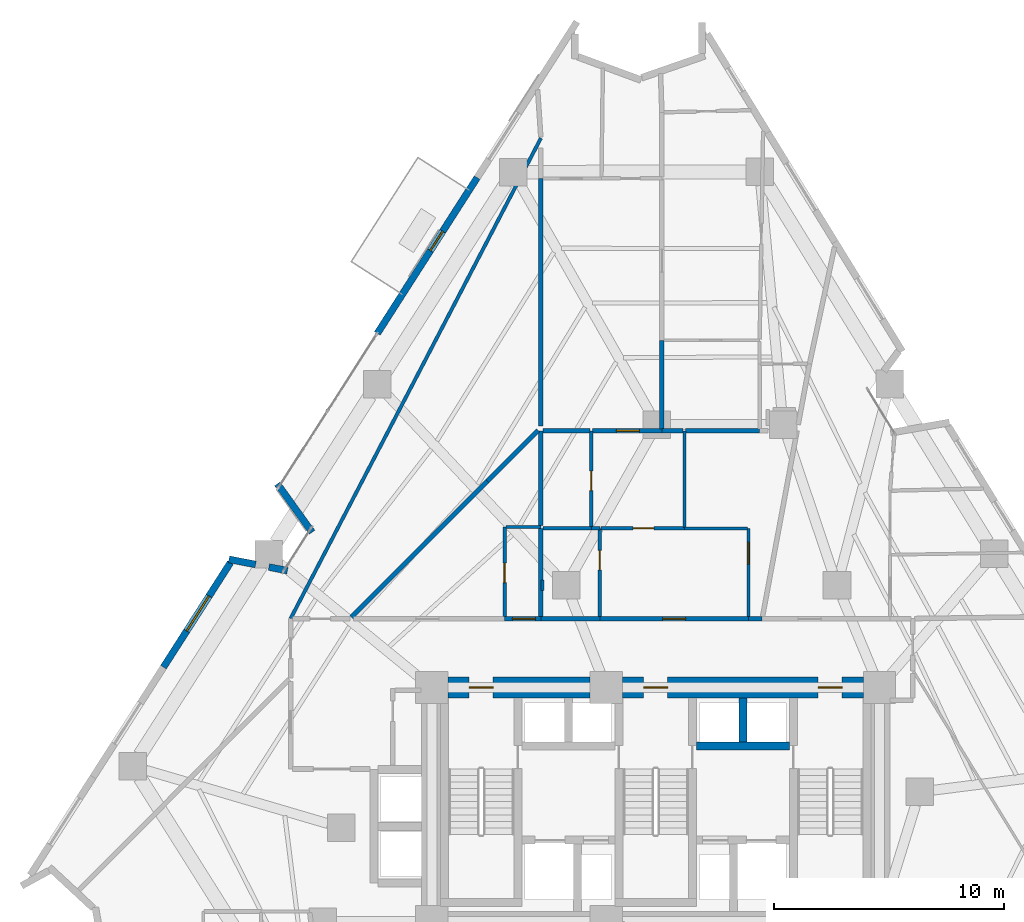
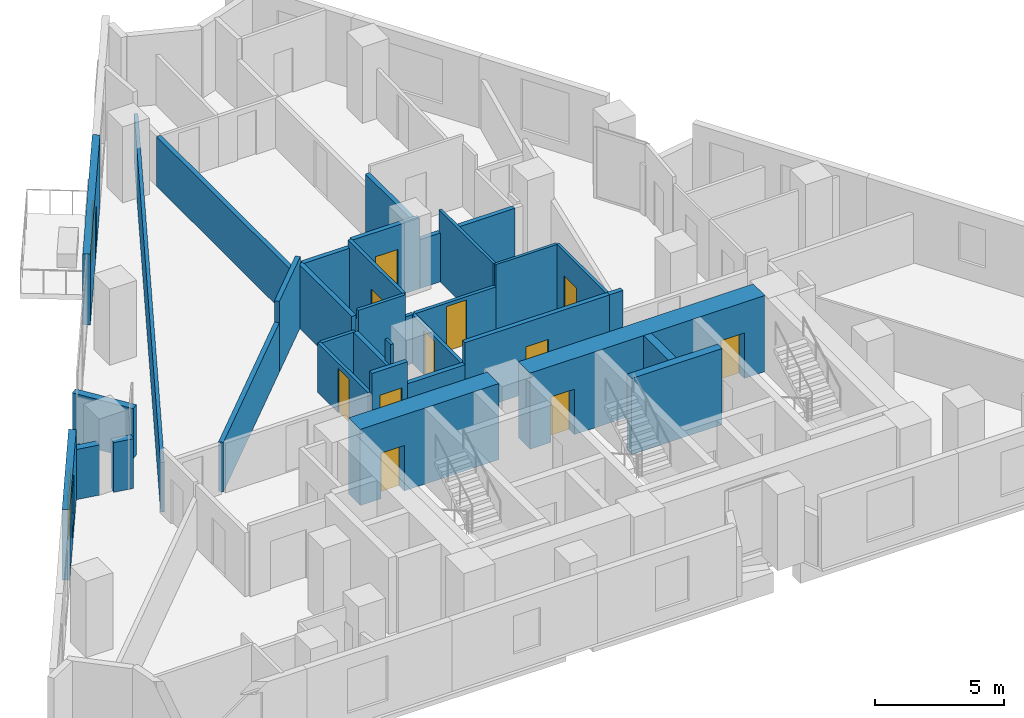
# One storey, part 7 of 13: 35 walls, 12 doors, 1 window, 13 openings.
"""IFC4 building model written with IfcOpenShell, lengths in metres."""

from ifc_helpers import new_model, si_unit, direction, frame, frame_2d, origin, place, context, subcontext, project, spatial, rectangle, extrude, material, layer, layer_set, type_object, element, fill, save


model = new_model("IFC4")

# Units and contexts
model_context = context("Model", 3, precision=1e-05, world=origin(), true_north=direction((0.0, 1.0)))
body_context = subcontext(model_context, "Body", "Model", "MODEL_VIEW")
ifc_project = project(units=[si_unit("LENGTHUNIT", "METRE"), si_unit("AREAUNIT", "SQUARE_METRE"), si_unit("VOLUMEUNIT", "CUBIC_METRE"), si_unit("PLANEANGLEUNIT", "RADIAN"), si_unit("MASSUNIT", "GRAM", prefix="KILO")], contexts=[model_context])

# Site, building, storey
site_placement = place(None, origin())
site = spatial("IfcSite", under=ifc_project, at=site_placement, CompositionType="ELEMENT")
building_placement = place(site_placement, origin())
building = spatial("IfcBuilding", under=site, at=building_placement, Name="Almagre Mirador Tower", CompositionType="ELEMENT")
storey_placement = place(building_placement, frame((0.0, 0.0, 78.60009765625)))
storey = spatial("IfcBuildingStorey", under=building, at=storey_placement, Name="L19", CompositionType="ELEMENT", Elevation=78.60009765625)

# Walls
ifc_material_1 = material(Name="Precast concrete C50/60", Category="concrete")
ifc_layer_1 = layer(ifc_material_1, 0.300048828125)
ifc_layer_set_1 = layer_set([ifc_layer_1], Name="Precast concrete C50/60")
wall_type_1 = type_object("IfcWallType", Name="WAL-EXT-300", PredefinedType="SOLIDWALL", material=ifc_layer_set_1)
wall_1_placement = place(storey_placement, frame((18.718505859375, 20.33154296875, 0.0), z_axis=(0.0, 0.0, 1.0), x_axis=(0.981768670621, -0.190079660635, 0.0)))
element("IfcWall", 1, at=wall_1_placement, inside=storey, type_object=wall_type_1, Name="L19 expressed almagre precast frame wall 01", PredefinedType="SOLIDWALL", context=body_context, shape_type="SweptSolid", body=[
    extrude(rectangle(XDim=1.182861328125, YDim=0.300048828125, at=frame_2d((0.59130859375, 0.0))), origin(), (0.0, 0.0, 1.0), 2.375),
])
wall_2_placement = place(storey_placement, frame((20.4560546875, 19.9951171875, 0.0), z_axis=(0.0, 0.0, 1.0), x_axis=(0.981715557517, -0.190353786749, 0.0)))
element("IfcWall", 2, at=wall_2_placement, inside=storey, type_object=wall_type_1, Name="L19 expressed almagre precast frame wall 02", PredefinedType="SOLIDWALL", context=body_context, shape_type="SweptSolid", body=[
    extrude(rectangle(XDim=0.823486328125, YDim=0.300048828125, at=frame_2d((0.41162109375, 0.0))), origin(), (0.0, 0.0, 1.0), 2.349853515625),
])
wall_3_placement = place(storey_placement, frame((22.336669921875, 21.51123046875, 0.0), z_axis=(0.0, 0.0, 1.0), x_axis=(-0.583178108206, 0.812344319922, 0.0)))
element("IfcWall", 3, at=wall_3_placement, inside=storey, type_object=wall_type_1, Name="L19 expressed almagre precast frame wall 03", PredefinedType="SOLIDWALL", context=body_context, shape_type="SweptSolid", body=[
    extrude(rectangle(XDim=2.593017578125, YDim=0.300048828125, at=frame_2d((1.29638671875, 0.0))), origin(), (0.0, 0.0, 1.0), 2.375),
])

# Wall, opening, door
wall_4_placement = place(storey_placement, frame((25.17724609375, 30.170654296875, 0.0), z_axis=(0.0, 0.0, 1.0), x_axis=(0.539427662029, 0.842031945616, 0.0)))
wall_4 = element("IfcWall", 4, at=wall_4_placement, inside=storey, type_object=wall_type_1, Name="L19 expressed almagre precast frame wall 04", PredefinedType="SOLIDWALL", context=body_context, shape_type="SweptSolid", body=[
    extrude(rectangle(XDim=8.057373046875, YDim=0.300048828125, at=frame_2d((4.02880859375, 0.0))), origin(), (0.0, 0.0, 1.0), 3.349853515625),
])
opening_1_placement = place(wall_4_placement, frame((4.28076171875, 0.0, 0.0)))
opening_1 = element("IfcOpeningElement", 5, at=opening_1_placement, cuts=wall_4, Name="Opening BD-01", PredefinedType="OPENING", context=body_context, shape_type="SweptSolid", body=[
    extrude(rectangle(XDim=1.0, YDim=2.199951171875, at=frame_2d((0.5, 1.10009765625))), frame((0.0, 0.159902, 0.0), z_axis=(0.0, -1.0, 0.0), x_axis=(1.0, 0.0, 0.0)), (0.0, 0.0, 1.0), 0.320049),
])
ifc_material_2 = material(Name="Black anodized aluminium and laminated glass", Category="aluminium")
door_type_1 = type_object("IfcDoorType", Name="DOR-BAL-1000X2200", OperationType="NOTDEFINED", PredefinedType="DOOR", material=ifc_material_2)
door_1_placement = place(opening_1_placement, origin())
door_1 = element("IfcDoor", 6, at=door_1_placement, inside=storey, type_object=door_type_1, Name="DR-0636 L19 west balcony glazed door 2", OperationType="SINGLE_SWING_RIGHT", OverallHeight=2.199951171875, OverallWidth=1.0, PredefinedType="DOOR", context=body_context, shape_type="SweptSolid", body=[
    extrude(rectangle(XDim=1.0, YDim=2.199951171875, at=frame_2d((0.5, 1.10009765625))), frame((0.0, 0.02490234375, 0.0), z_axis=(0.0, -1.0, 0.0), x_axis=(1.0, 0.0, 0.0)), (0.0, 0.0, 1.0), 0.050048828125),
])
fill(opening_1, door_1)

# Wall, opening, window
wall_5_placement = place(storey_placement, frame((15.8642578125, 15.63525390625, 0.0), z_axis=(0.0, 0.0, 1.0), x_axis=(0.53944798429, 0.842018926299, 0.0)))
wall_5 = element("IfcWall", 7, at=wall_5_placement, inside=storey, type_object=wall_type_1, Name="L19 expressed almagre precast frame wall 37", PredefinedType="SOLIDWALL", context=body_context, shape_type="SweptSolid", body=[
    extrude(rectangle(XDim=5.410888671875, YDim=0.300048828125, at=frame_2d((2.70556640625, 0.0))), origin(), (0.0, 0.0, 1.0), 3.349853515625),
])
opening_2_placement = place(wall_5_placement, frame((1.875, 0.0, 0.60009765625)))
opening_2 = element("IfcOpeningElement", 8, at=opening_2_placement, cuts=wall_5, Name="Opening WN-01", PredefinedType="OPENING", context=body_context, shape_type="SweptSolid", body=[
    extrude(rectangle(XDim=1.800048828125, YDim=2.10009765625, at=frame_2d((0.89990234375, 1.050048828125))), frame((0.0, 0.159902, 0.0), z_axis=(0.0, -1.0, 0.0), x_axis=(1.0, 0.0, 0.0)), (0.0, 0.0, 1.0), 0.320049),
])
ifc_material_3 = material(Name="Dark solar-control laminated hurricane glass", Category="glass")
window_type = type_object("IfcWindowType", Name="WIN-1800X2100", PartitioningType="DOUBLE_PANEL_VERTICAL", PredefinedType="WINDOW", material=ifc_material_3)
window_placement = place(opening_2_placement, origin())
window = element("IfcWindow", 9, at=window_placement, inside=storey, type_object=window_type, Name="L19 recessed hurricane window L19-RST-E", OverallHeight=2.10009765625, OverallWidth=1.800048828125, PartitioningType="SINGLE_PANEL", PredefinedType="WINDOW", context=body_context, shape_type="SweptSolid", body=[
    extrude(rectangle(XDim=1.800048828125, YDim=2.10009765625, at=frame_2d((0.89990234375, 1.050048828125))), frame((0.0, 0.030029296875, 0.0), z_axis=(0.0, -1.0, 0.0), x_axis=(1.0, 0.0, 0.0)), (0.0, 0.0, 1.0), 0.06005859375),
])
fill(opening_2, window)

# Wall, opening, door
ifc_material_4 = material(Name="Gypsum acoustic stud partition", Category="other")
ifc_layer_2 = layer(ifc_material_4, 0.125)
ifc_layer_set_2 = layer_set([ifc_layer_2], Name="Gypsum acoustic stud partition")
wall_type_2 = type_object("IfcWallType", Name="WAL-PRT-125-UTL", PredefinedType="PARTITIONING", material=ifc_layer_set_2)
wall_6_placement = place(storey_placement, frame((41.340087890625, 17.8349609375, 0.0), z_axis=(0.0, 0.0, 1.0), x_axis=(0.0, 1.0, 0.0)))
wall_6 = element("IfcWall", 10, at=wall_6_placement, inside=storey, type_object=wall_type_2, Name="L19 interior partition 038", PredefinedType="PARTITIONING", context=body_context, shape_type="SweptSolid", body=[
    extrude(rectangle(XDim=3.844970703125, YDim=0.125, at=frame_2d((1.92236328125, 0.0))), origin(), (0.0, 0.0, 1.0), 3.349853515625),
])
opening_3_placement = place(wall_6_placement, frame((2.285400390625, 0.0, 0.0)))
opening_3 = element("IfcOpeningElement", 11, at=opening_3_placement, cuts=wall_6, Name="Opening UD-01", PredefinedType="OPENING", context=body_context, shape_type="SweptSolid", body=[
    extrude(rectangle(XDim=0.949951171875, YDim=2.199951171875, at=frame_2d((0.47509765625, 1.10009765625))), frame((0.0, 0.0725, 0.0), z_axis=(0.0, -1.0, 0.0), x_axis=(1.0, 0.0, 0.0)), (0.0, 0.0, 1.0), 0.145),
])
ifc_material_5 = material(Name="Solid American walnut timber", Category="wood")
door_type_2 = type_object("IfcDoorType", Name="DOR-UNR-950X2200", OperationType="NOTDEFINED", PredefinedType="DOOR", material=ifc_material_5)
door_2_placement = place(opening_3_placement, origin())
door_2 = element("IfcDoor", 12, at=door_2_placement, inside=storey, type_object=door_type_2, Name="DR-0650 L19 interior door L19-UH-LV to L19-UH-KT", OperationType="SINGLE_SWING_RIGHT", OverallHeight=2.199951171875, OverallWidth=0.949951171875, PredefinedType="DOOR", context=body_context, shape_type="SweptSolid", body=[
    extrude(rectangle(XDim=0.949951171875, YDim=2.199951171875, at=frame_2d((0.47509765625, 1.10009765625))), frame((0.0, 0.02490234375, 0.0), z_axis=(0.0, -1.0, 0.0), x_axis=(1.0, 0.0, 0.0)), (0.0, 0.0, 1.0), 0.050048828125),
])
fill(opening_3, door_2)

# Walls
wall_7_placement = place(storey_placement, frame((41.29248046875, 21.679931640625, 0.0), z_axis=(0.0, 0.0, 1.0), x_axis=(-1.0, 0.0, 0.0)))
element("IfcWall", 13, at=wall_7_placement, inside=storey, type_object=wall_type_2, Name="L19 interior partition 039", PredefinedType="PARTITIONING", context=body_context, shape_type="SweptSolid", body=[
    extrude(rectangle(XDim=2.742431640625, YDim=0.125, at=frame_2d((1.37109375, 0.0))), origin(), (0.0, 0.0, 1.0), 3.349853515625),
])
wall_8_placement = place(storey_placement, frame((38.550048828125, 25.929931640625, 0.0), z_axis=(0.0, 0.0, 1.0), x_axis=(0.0, -1.0, 0.0)))
element("IfcWall", 14, at=wall_8_placement, inside=storey, type_object=wall_type_2, Name="L19 interior partition 043", PredefinedType="PARTITIONING", context=body_context, shape_type="SweptSolid", body=[
    extrude(rectangle(XDim=4.202392578125, YDim=0.125, at=frame_2d((2.10107421875, 0.0))), origin(), (0.0, 0.0, 1.0), 3.349853515625),
])
wall_9_placement = place(storey_placement, frame((32.3798828125, 18.97998046875, 0.0), z_axis=(0.0, 0.0, 1.0), x_axis=(0.0, 1.0, 0.0)))
element("IfcWall", 15, at=wall_9_placement, inside=storey, type_object=wall_type_2, Name="L19 interior partition 074", PredefinedType="PARTITIONING", context=body_context, shape_type="SweptSolid", body=[
    extrude(rectangle(XDim=0.43994140625, YDim=0.125, at=frame_2d((0.219970703125, 0.0))), origin(), (0.0, 0.0, 1.0), 3.349853515625),
])
ifc_material_6 = material(Name="Gypsum acoustic stud partition", Category="other")
ifc_layer_3 = layer(ifc_material_6, 0.14990234375)
ifc_layer_set_3 = layer_set([ifc_layer_3], Name="Gypsum acoustic stud partition")
wall_type_3 = type_object("IfcWallType", Name="WAL-PRT-150-STD", PredefinedType="PARTITIONING", material=ifc_layer_set_3)
wall_10_placement = place(storey_placement, frame((21.39990234375, 17.75, 0.0), z_axis=(0.0, 0.0, 1.0), x_axis=(0.46207959711, 0.886838455376, 0.0)))
element("IfcWall", 16, at=wall_10_placement, inside=storey, type_object=wall_type_3, Name="L19 interior partition 025", PredefinedType="PARTITIONING", context=body_context, shape_type="SweptSolid", body=[
    extrude(rectangle(XDim=23.58935546875, YDim=0.14990234375, at=frame_2d((11.794677734375, 0.0))), origin(), (0.0, 0.0, 1.0), 2.344970703125),
])

# Wall, opening, door
wall_11_placement = place(storey_placement, frame((30.719970703125, 17.8349609375, 0.0), z_axis=(0.0, 0.0, 1.0), x_axis=(0.0, 1.0, 0.0)))
wall_11 = element("IfcWall", 17, at=wall_11_placement, inside=storey, type_object=wall_type_3, Name="L19 interior partition 029", PredefinedType="PARTITIONING", context=body_context, shape_type="SweptSolid", body=[
    extrude(rectangle(XDim=3.905029296875, YDim=0.14990234375, at=frame_2d((1.95263671875, 0.0))), origin(), (0.0, 0.0, 1.0), 2.344970703125),
])
opening_4_placement = place(wall_11_placement, frame((1.485107421875, 0.0, 0.0)))
opening_4 = element("IfcOpeningElement", 18, at=opening_4_placement, cuts=wall_11, Name="Opening UD-04", PredefinedType="OPENING", context=body_context, shape_type="SweptSolid", body=[
    extrude(rectangle(XDim=0.85009765625, YDim=2.10009765625, at=frame_2d((0.425048828125, 1.050048828125))), frame((0.0, 0.084951, 0.0), z_axis=(0.0, -1.0, 0.0), x_axis=(1.0, 0.0, 0.0)), (0.0, 0.0, 1.0), 0.169902),
])
ifc_material_7 = material(Name="Moisture-resistant oak timber", Category="wood")
door_type_3 = type_object("IfcDoorType", Name="DOR-UNR-850X2100", OperationType="NOTDEFINED", PredefinedType="DOOR", material=ifc_material_7)
door_3_placement = place(opening_4_placement, origin())
door_3 = element("IfcDoor", 19, at=door_3_placement, inside=storey, type_object=door_type_3, Name="DR-0648 L19 interior door L19-UF-ST to L19-UF-BT", OperationType="SINGLE_SWING_RIGHT", OverallHeight=2.10009765625, OverallWidth=0.85009765625, PredefinedType="DOOR", context=body_context, shape_type="SweptSolid", body=[
    extrude(rectangle(XDim=0.85009765625, YDim=2.10009765625, at=frame_2d((0.425048828125, 1.050048828125))), frame((0.0, 0.02490234375, 0.0), z_axis=(0.0, -1.0, 0.0), x_axis=(1.0, 0.0, 0.0)), (0.0, 0.0, 1.0), 0.050048828125),
])
fill(opening_4, door_3)

# Wall
wall_12_placement = place(storey_placement, frame((30.780029296875, 21.739990234375, 0.0), z_axis=(0.0, 0.0, 1.0), x_axis=(1.0, 0.0, 0.0)))
element("IfcWall", 20, at=wall_12_placement, inside=storey, type_object=wall_type_3, Name="L19 interior partition 031", PredefinedType="PARTITIONING", context=body_context, shape_type="SweptSolid", body=[
    extrude(rectangle(XDim=1.52001953125, YDim=0.14990234375, at=frame_2d((0.760009765625, 0.0))), origin(), (0.0, 0.0, 1.0), 2.344970703125),
])

# Wall, opening, door
wall_13_placement = place(storey_placement, frame((34.8701171875, 21.679931640625, 0.0), z_axis=(0.0, 0.0, 1.0), x_axis=(0.0, -1.0, 0.0)))
wall_13 = element("IfcWall", 21, at=wall_13_placement, inside=storey, type_object=wall_type_3, Name="L19 interior partition 037", PredefinedType="PARTITIONING", context=body_context, shape_type="SweptSolid", body=[
    extrude(rectangle(XDim=3.844970703125, YDim=0.14990234375, at=frame_2d((1.92236328125, 0.0))), origin(), (0.0, 0.0, 1.0), 2.308837890625),
])
opening_5_placement = place(wall_13_placement, frame((0.956787109375, 0.0, 0.0)))
opening_5 = element("IfcOpeningElement", 22, at=opening_5_placement, cuts=wall_13, Name="Opening UD-04", PredefinedType="OPENING", context=body_context, shape_type="SweptSolid", body=[
    extrude(rectangle(XDim=0.85009765625, YDim=2.10009765625, at=frame_2d((0.425048828125, 1.050048828125))), frame((0.0, 0.084951, 0.0), z_axis=(0.0, -1.0, 0.0), x_axis=(1.0, 0.0, 0.0)), (0.0, 0.0, 1.0), 0.169902),
])
door_4_placement = place(opening_5_placement, origin())
door_4 = element("IfcDoor", 23, at=door_4_placement, inside=storey, type_object=door_type_3, Name="DR-0651 L19 interior door L19-UH-LV to L19-UH-HB", OperationType="SINGLE_SWING_LEFT", OverallHeight=2.10009765625, OverallWidth=0.85009765625, PredefinedType="DOOR", context=body_context, shape_type="SweptSolid", body=[
    extrude(rectangle(XDim=0.85009765625, YDim=2.10009765625, at=frame_2d((0.425048828125, 1.050048828125))), frame((0.0, 0.02490234375, 0.0), z_axis=(0.0, -1.0, 0.0), x_axis=(1.0, 0.0, 0.0)), (0.0, 0.0, 1.0), 0.050048828125),
])
fill(opening_5, door_4)

wall_14_placement = place(storey_placement, frame((38.550048828125, 21.679931640625, 0.0), z_axis=(0.0, 0.0, 1.0), x_axis=(-1.0, 0.0, 0.0)))
wall_14 = element("IfcWall", 24, at=wall_14_placement, inside=storey, type_object=wall_type_3, Name="L19 interior partition 040", PredefinedType="PARTITIONING", context=body_context, shape_type="SweptSolid", body=[
    extrude(rectangle(XDim=3.6201171875, YDim=0.14990234375, at=frame_2d((1.81005859375, 0.0))), origin(), (0.0, 0.0, 1.0), 2.308837890625),
])
opening_6_placement = place(wall_14_placement, frame((1.33056640625, 0.0, 0.0)))
opening_6 = element("IfcOpeningElement", 25, at=opening_6_placement, cuts=wall_14, Name="Opening UD-02", PredefinedType="OPENING", context=body_context, shape_type="SweptSolid", body=[
    extrude(rectangle(XDim=0.89990234375, YDim=2.14990234375, at=frame_2d((0.449951171875, 1.074951171875))), frame((0.0, 0.084951, 0.0), z_axis=(0.0, -1.0, 0.0), x_axis=(1.0, 0.0, 0.0)), (0.0, 0.0, 1.0), 0.169902),
])
ifc_material_8 = material(Name="Solid American walnut timber", Category="wood")
door_type_4 = type_object("IfcDoorType", Name="DOR-UNR-900X2150", OperationType="NOTDEFINED", PredefinedType="DOOR", material=ifc_material_8)
door_5_placement = place(opening_6_placement, origin())
door_5 = element("IfcDoor", 26, at=door_5_placement, inside=storey, type_object=door_type_4, Name="DR-0652 L19 interior door L19-UH-LV to L19-UH-MB", OperationType="SINGLE_SWING_RIGHT", OverallHeight=2.14990234375, OverallWidth=0.89990234375, PredefinedType="DOOR", context=body_context, shape_type="SweptSolid", body=[
    extrude(rectangle(XDim=0.89990234375, YDim=2.14990234375, at=frame_2d((0.449951171875, 1.074951171875))), frame((0.0, 0.02490234375, 0.0), z_axis=(0.0, -1.0, 0.0), x_axis=(1.0, 0.0, 0.0)), (0.0, 0.0, 1.0), 0.050048828125),
])
fill(opening_6, door_5)

# Walls
wall_15_placement = place(storey_placement, frame((34.8701171875, 21.679931640625, 0.0), z_axis=(0.0, 0.0, 1.0), x_axis=(-1.0, 0.0, 0.0)))
element("IfcWall", 27, at=wall_15_placement, inside=storey, type_object=wall_type_3, Name="L19 interior partition 041", PredefinedType="PARTITIONING", context=body_context, shape_type="SweptSolid", body=[
    extrude(rectangle(XDim=0.3701171875, YDim=0.14990234375, at=frame_2d((0.18505859375, 0.0))), origin(), (0.0, 0.0, 1.0), 2.308837890625),
])
wall_16_placement = place(storey_placement, frame((34.5, 21.679931640625, 0.0), z_axis=(0.0, 0.0, 1.0), x_axis=(-1.0, 0.0, 0.0)))
element("IfcWall", 28, at=wall_16_placement, inside=storey, type_object=wall_type_3, Name="L19 interior partition 042", PredefinedType="PARTITIONING", context=body_context, shape_type="SweptSolid", body=[
    extrude(rectangle(XDim=2.114990234375, YDim=0.14990234375, at=frame_2d((1.0576171875, 0.0))), origin(), (0.0, 0.0, 1.0), 3.349853515625),
])

# Wall, opening, door
wall_17_placement = place(storey_placement, frame((34.5, 25.929931640625, 0.0), z_axis=(0.0, 0.0, 1.0), x_axis=(0.0, -1.0, 0.0)))
wall_17 = element("IfcWall", 29, at=wall_17_placement, inside=storey, type_object=wall_type_3, Name="L19 interior partition 047", PredefinedType="PARTITIONING", context=body_context, shape_type="SweptSolid", body=[
    extrude(rectangle(XDim=4.18994140625, YDim=0.14990234375, at=frame_2d((2.094970703125, 0.0))), origin(), (0.0, 0.0, 1.0), 3.349853515625),
])
opening_7_placement = place(wall_17_placement, frame((1.7578125, 0.0, 0.0)))
opening_7 = element("IfcOpeningElement", 30, at=opening_7_placement, cuts=wall_17, Name="Opening UD-04", PredefinedType="OPENING", context=body_context, shape_type="SweptSolid", body=[
    extrude(rectangle(XDim=0.85009765625, YDim=2.10009765625, at=frame_2d((0.425048828125, 1.050048828125))), frame((0.0, 0.084951, 0.0), z_axis=(0.0, -1.0, 0.0), x_axis=(1.0, 0.0, 0.0)), (0.0, 0.0, 1.0), 0.169902),
])
door_6_placement = place(opening_7_placement, origin())
door_6 = element("IfcDoor", 31, at=door_6_placement, inside=storey, type_object=door_type_3, Name="DR-0653 L19 interior door L19-UH-MB to L19-UH-EN", OperationType="SINGLE_SWING_LEFT", OverallHeight=2.10009765625, OverallWidth=0.85009765625, PredefinedType="DOOR", context=body_context, shape_type="SweptSolid", body=[
    extrude(rectangle(XDim=0.85009765625, YDim=2.10009765625, at=frame_2d((0.425048828125, 1.050048828125))), frame((0.0, 0.02490234375, 0.0), z_axis=(0.0, -1.0, 0.0), x_axis=(1.0, 0.0, 0.0)), (0.0, 0.0, 1.0), 0.050048828125),
])
fill(opening_7, door_6)

ifc_material_9 = material(Name="Gypsum acoustic stud partition", Category="other")
ifc_layer_4 = layer(ifc_material_9, 0.199951171875)
ifc_layer_set_4 = layer_set([ifc_layer_4], Name="Gypsum acoustic stud partition")
wall_type_4 = type_object("IfcWallType", Name="WAL-PRT-200-EI60", PredefinedType="PARTITIONING", material=ifc_layer_set_4)
wall_18_placement = place(storey_placement, frame((32.300048828125, 17.75, 0.0), z_axis=(0.0, 0.0, 1.0), x_axis=(-1.0, 0.0, 0.0)))
wall_18 = element("IfcWall", 32, at=wall_18_placement, inside=storey, type_object=wall_type_4, Name="L19 interior partition 008", PredefinedType="PARTITIONING", context=body_context, shape_type="SweptSolid", body=[
    extrude(rectangle(XDim=1.580078125, YDim=0.199951171875, at=frame_2d((0.7900390625, 0.0))), origin(), (0.0, 0.0, 1.0), 3.349853515625),
])
opening_8_placement = place(wall_18_placement, frame((0.239990234375, 0.0, 0.0)))
opening_8 = element("IfcOpeningElement", 33, at=opening_8_placement, cuts=wall_18, Name="Opening ID-01", PredefinedType="OPENING", context=body_context, shape_type="SweptSolid", body=[
    extrude(rectangle(XDim=1.0, YDim=2.199951171875, at=frame_2d((0.5, 1.10009765625))), frame((0.0, 0.110098, 0.0), z_axis=(0.0, -1.0, 0.0), x_axis=(1.0, 0.0, 0.0)), (0.0, 0.0, 1.0), 0.219951),
])
ifc_material_10 = material(Name="Fire-rated walnut timber", Category="wood")
door_type_5 = type_object("IfcDoorType", Name="DOR-FD60-1000X2200", OperationType="NOTDEFINED", PredefinedType="DOOR", material=ifc_material_10)
door_7_placement = place(opening_8_placement, origin())
door_7 = element("IfcDoor", 34, at=door_7_placement, inside=storey, type_object=door_type_5, Name="DR-0666 L19 interior door L19-RCOR to L19-UF-BT", OperationType="SINGLE_SWING_RIGHT", OverallHeight=2.199951171875, OverallWidth=1.0, PredefinedType="DOOR", context=body_context, shape_type="SweptSolid", body=[
    extrude(rectangle(XDim=1.0, YDim=2.199951171875, at=frame_2d((0.5, 1.10009765625))), frame((0.0, 0.02490234375, 0.0), z_axis=(0.0, -1.0, 0.0), x_axis=(1.0, 0.0, 0.0)), (0.0, 0.0, 1.0), 0.050048828125),
])
fill(opening_8, door_7)

wall_19_placement = place(storey_placement, frame((41.340087890625, 17.75, 0.0), z_axis=(0.0, 0.0, 1.0), x_axis=(-1.0, 0.0, 0.0)))
wall_19 = element("IfcWall", 35, at=wall_19_placement, inside=storey, type_object=wall_type_4, Name="L19 interior partition 010", PredefinedType="PARTITIONING", context=body_context, shape_type="SweptSolid", body=[
    extrude(rectangle(XDim=6.469970703125, YDim=0.199951171875, at=frame_2d((3.23486328125, 0.0))), origin(), (0.0, 0.0, 1.0), 3.349853515625),
])
opening_9_placement = place(wall_19_placement, frame((2.735107421875, 0.0, 0.0)))
opening_9 = element("IfcOpeningElement", 36, at=opening_9_placement, cuts=wall_19, Name="Opening ID-01", PredefinedType="OPENING", context=body_context, shape_type="SweptSolid", body=[
    extrude(rectangle(XDim=1.0, YDim=2.199951171875, at=frame_2d((0.5, 1.10009765625))), frame((0.0, 0.110098, 0.0), z_axis=(0.0, -1.0, 0.0), x_axis=(1.0, 0.0, 0.0)), (0.0, 0.0, 1.0), 0.219951),
])
door_8_placement = place(opening_9_placement, origin())
door_8 = element("IfcDoor", 37, at=door_8_placement, inside=storey, type_object=door_type_5, Name="DR-0649 L19 interior door L19-RCOR to L19-UH-LV", OperationType="SINGLE_SWING_LEFT", OverallHeight=2.199951171875, OverallWidth=1.0, PredefinedType="DOOR", context=body_context, shape_type="SweptSolid", body=[
    extrude(rectangle(XDim=1.0, YDim=2.199951171875, at=frame_2d((0.5, 1.10009765625))), frame((0.0, 0.02490234375, 0.0), z_axis=(0.0, -1.0, 0.0), x_axis=(1.0, 0.0, 0.0)), (0.0, 0.0, 1.0), 0.050048828125),
])
fill(opening_9, door_8)

# Walls
wall_20_placement = place(storey_placement, frame((34.8701171875, 17.75, 0.0), z_axis=(0.0, 0.0, 1.0), x_axis=(-1.0, 0.0, 0.0)))
element("IfcWall", 38, at=wall_20_placement, inside=storey, type_object=wall_type_4, Name="L19 interior partition 011", PredefinedType="PARTITIONING", context=body_context, shape_type="SweptSolid", body=[
    extrude(rectangle(XDim=2.570068359375, YDim=0.199951171875, at=frame_2d((1.28515625, 0.0))), origin(), (0.0, 0.0, 1.0), 2.308837890625),
])
wall_21_placement = place(storey_placement, frame((41.93994140625, 17.75, 0.0), z_axis=(0.0, 0.0, 1.0), x_axis=(-1.0, 0.0, 0.0)))
element("IfcWall", 39, at=wall_21_placement, inside=storey, type_object=wall_type_4, Name="L19 interior partition 012", PredefinedType="PARTITIONING", context=body_context, shape_type="SweptSolid", body=[
    extrude(rectangle(XDim=0.599853515625, YDim=0.199951171875, at=frame_2d((0.2998046875, 0.0))), origin(), (0.0, 0.0, 1.0), 3.349853515625),
])
wall_22_placement = place(storey_placement, frame((29.969970703125, 23.72998046875, 0.0), z_axis=(0.0, 0.0, 1.0), x_axis=(-0.707106781187, -0.707106781187, 0.0)))
element("IfcWall", 40, at=wall_22_placement, inside=storey, type_object=wall_type_4, Name="L19 interior partition 030", PredefinedType="PARTITIONING", context=body_context, shape_type="SweptSolid", body=[
    extrude(rectangle(XDim=8.3720703125, YDim=0.199951171875, at=frame_2d((4.18603515625, 0.0))), origin(), (0.0, 0.0, 1.0), 2.344970703125),
])
wall_23_placement = place(storey_placement, frame((32.18701171875, 25.947021484375, 0.0), z_axis=(0.0, 0.0, 1.0), x_axis=(-0.707106781187, -0.707106781187, 0.0)))
element("IfcWall", 41, at=wall_23_placement, inside=storey, type_object=wall_type_4, Name="L19 interior partition 032", PredefinedType="PARTITIONING", context=body_context, shape_type="SweptSolid", body=[
    extrude(rectangle(XDim=3.13525390625, YDim=0.199951171875, at=frame_2d((1.567626953125, 0.0))), origin(), (0.0, 0.0, 1.0), 3.349853515625),
])
wall_24_placement = place(storey_placement, frame((32.300048828125, 21.800048828125, 0.0), z_axis=(0.0, 0.0, 1.0), x_axis=(0.0, 1.0, 0.0)))
element("IfcWall", 42, at=wall_24_placement, inside=storey, type_object=wall_type_4, Name="L19 interior partition 033", PredefinedType="PARTITIONING", context=body_context, shape_type="SweptSolid", body=[
    extrude(rectangle(XDim=4.1298828125, YDim=0.199951171875, at=frame_2d((2.06494140625, 0.0))), origin(), (0.0, 0.0, 1.0), 3.010009765625),
])
wall_25_placement = place(storey_placement, frame((32.300048828125, 17.8349609375, 0.0), z_axis=(0.0, 0.0, 1.0), x_axis=(0.0, 1.0, 0.0)))
element("IfcWall", 43, at=wall_25_placement, inside=storey, type_object=wall_type_4, Name="L19 interior partition 034", PredefinedType="PARTITIONING", context=body_context, shape_type="SweptSolid", body=[
    extrude(rectangle(XDim=3.844970703125, YDim=0.199951171875, at=frame_2d((1.92236328125, 0.0))), origin(), (0.0, 0.0, 1.0), 2.344970703125),
])
wall_26_placement = place(storey_placement, frame((32.300048828125, 26.14501953125, 0.0), z_axis=(0.0, 0.0, 1.0), x_axis=(0.0, 1.0, 0.0)))
element("IfcWall", 44, at=wall_26_placement, inside=storey, type_object=wall_type_4, Name="L19 interior partition 035", PredefinedType="PARTITIONING", context=body_context, shape_type="SweptSolid", body=[
    extrude(rectangle(XDim=10.77490234375, YDim=0.199951171875, at=frame_2d((5.387451171875, 0.0))), origin(), (0.0, 0.0, 1.0), 2.344970703125),
])
wall_27_placement = place(storey_placement, frame((41.830078125, 25.929931640625, 0.0), z_axis=(0.0, 0.0, 1.0), x_axis=(-1.0, 0.0, 0.0)))
element("IfcWall", 45, at=wall_27_placement, inside=storey, type_object=wall_type_4, Name="L19 interior partition 045", PredefinedType="PARTITIONING", context=body_context, shape_type="SweptSolid", body=[
    extrude(rectangle(XDim=3.232666015625, YDim=0.199951171875, at=frame_2d((1.6162109375, 0.0))), origin(), (0.0, 0.0, 1.0), 2.308837890625),
])

# Wall, opening, door
wall_28_placement = place(storey_placement, frame((37.570068359375, 25.929931640625, 0.0), z_axis=(0.0, 0.0, 1.0), x_axis=(-1.0, 0.0, 0.0)))
wall_28 = element("IfcWall", 46, at=wall_28_placement, inside=storey, type_object=wall_type_4, Name="L19 interior partition 048", PredefinedType="PARTITIONING", context=body_context, shape_type="SweptSolid", body=[
    extrude(rectangle(XDim=3.010009765625, YDim=0.199951171875, at=frame_2d((1.5048828125, 0.0))), origin(), (0.0, 0.0, 1.0), 3.349853515625),
])
opening_10_placement = place(wall_28_placement, frame((0.975341796875, 0.0, 0.0)))
opening_10 = element("IfcOpeningElement", 47, at=opening_10_placement, cuts=wall_28, Name="Opening ID-01", PredefinedType="OPENING", context=body_context, shape_type="SweptSolid", body=[
    extrude(rectangle(XDim=1.0, YDim=2.199951171875, at=frame_2d((0.5, 1.10009765625))), frame((0.0, 0.110098, 0.0), z_axis=(0.0, -1.0, 0.0), x_axis=(1.0, 0.0, 0.0)), (0.0, 0.0, 1.0), 0.219951),
])
door_9_placement = place(opening_10_placement, origin())
door_9 = element("IfcDoor", 48, at=door_9_placement, inside=storey, type_object=door_type_5, Name="DR-0664 L19 interior door L19-UH-MB to L19-UK-ST", OperationType="SINGLE_SWING_RIGHT", OverallHeight=2.199951171875, OverallWidth=1.0, PredefinedType="DOOR", context=body_context, shape_type="SweptSolid", body=[
    extrude(rectangle(XDim=1.0, YDim=2.199951171875, at=frame_2d((0.5, 1.10009765625))), frame((0.0, 0.02490234375, 0.0), z_axis=(0.0, -1.0, 0.0), x_axis=(1.0, 0.0, 0.0)), (0.0, 0.0, 1.0), 0.050048828125),
])
fill(opening_10, door_9)

# Walls
wall_29_placement = place(storey_placement, frame((38.50244140625, 25.929931640625, 0.0), z_axis=(0.0, 0.0, 1.0), x_axis=(-1.0, 0.0, 0.0)))
element("IfcWall", 49, at=wall_29_placement, inside=storey, type_object=wall_type_4, Name="L19 interior partition 049", PredefinedType="PARTITIONING", context=body_context, shape_type="SweptSolid", body=[
    extrude(rectangle(XDim=0.932373046875, YDim=0.199951171875, at=frame_2d((0.46630859375, 0.0))), origin(), (0.0, 0.0, 1.0), 2.308837890625),
])
wall_30_placement = place(storey_placement, frame((34.43994140625, 25.929931640625, 0.0), z_axis=(0.0, 0.0, 1.0), x_axis=(-1.0, 0.0, 0.0)))
element("IfcWall", 50, at=wall_30_placement, inside=storey, type_object=wall_type_4, Name="L19 interior partition 050", PredefinedType="PARTITIONING", context=body_context, shape_type="SweptSolid", body=[
    extrude(rectangle(XDim=2.054931640625, YDim=0.199951171875, at=frame_2d((1.02734375, 0.0))), origin(), (0.0, 0.0, 1.0), 3.010009765625),
])
wall_31_placement = place(storey_placement, frame((37.570068359375, 26.014892578125, 0.0), z_axis=(0.0, 0.0, 1.0), x_axis=(0.0, 1.0, 0.0)))
element("IfcWall", 51, at=wall_31_placement, inside=storey, type_object=wall_type_4, Name="L19 interior partition 061", PredefinedType="PARTITIONING", context=body_context, shape_type="SweptSolid", body=[
    extrude(rectangle(XDim=3.855224609375, YDim=0.199951171875, at=frame_2d((1.927734375, 0.0))), origin(), (0.0, 0.0, 1.0), 3.010009765625),
])
ifc_material_11 = material(Name="Concrete C60/75", Category="concrete")
ifc_layer_5 = layer(ifc_material_11, 0.35009765625)
ifc_layer_set_5 = layer_set([ifc_layer_5], Name="Concrete C60/75")
wall_type_5 = type_object("IfcWallType", Name="WAL-SHF-350", PredefinedType="SOLIDWALL", material=ifc_layer_set_5)
wall_32_placement = place(storey_placement, frame((39.074951171875, 12.199951171875, 0.0), z_axis=(0.0, 0.0, 1.0), x_axis=(1.0, 0.0, 0.0)))
element("IfcWall", 52, at=wall_32_placement, inside=storey, type_object=wall_type_5, Name="L19 shaft wall PLH-S", PredefinedType="SOLIDWALL", context=body_context, shape_type="SweptSolid", body=[
    extrude(rectangle(XDim=4.050048828125, YDim=0.35009765625, at=frame_2d((2.02490234375, 0.0))), origin(), (0.0, 0.0, 1.0), 3.599853515625),
])
wall_33_placement = place(storey_placement, frame((41.10009765625, 12.375, 0.0), z_axis=(0.0, 0.0, 1.0), x_axis=(0.0, 1.0, 0.0)))
element("IfcWall", 53, at=wall_33_placement, inside=storey, type_object=wall_type_5, Name="L19 shaft wall PLH-M", PredefinedType="SOLIDWALL", context=body_context, shape_type="SweptSolid", body=[
    extrude(rectangle(XDim=1.925048828125, YDim=0.35009765625, at=frame_2d((0.96240234375, 0.0))), origin(), (0.0, 0.0, 1.0), 3.599853515625),
])

# Wall, opening, door
ifc_material_12 = material(Name="Concrete C70/85", Category="concrete")
ifc_layer_6 = layer(ifc_material_12, 0.89990234375)
ifc_layer_set_6 = layer_set([ifc_layer_6], Name="Concrete C70/85")
wall_type_6 = type_object("IfcWallType", Name="WAL-SHR-900", PredefinedType="SHEAR", material=ifc_layer_set_6)
wall_34_placement = place(storey_placement, frame((28.25, 14.75, 0.0), z_axis=(0.0, 0.0, 1.0), x_axis=(1.0, 0.0, 0.0)))
wall_34 = element("IfcWall", 54, at=wall_34_placement, inside=storey, type_object=wall_type_6, Name="L19 core shear wall N1", PredefinedType="SHEAR", context=body_context, shape_type="SweptSolid", body=[
    extrude(rectangle(XDim=6.199951171875, YDim=0.89990234375, at=frame_2d((3.10009765625, 0.0))), origin(), (0.0, 0.0, 1.0), 3.599853515625),
])
opening_11_placement = place(wall_34_placement, frame((0.925048828125, 0.0, 0.0)))
opening_11 = element("IfcOpeningElement", 55, at=opening_11_placement, cuts=wall_34, Name="Opening SD-01", PredefinedType="OPENING", context=body_context, shape_type="SweptSolid", body=[
    extrude(rectangle(XDim=1.050048828125, YDim=2.14990234375, at=frame_2d((0.52490234375, 1.074951171875))), frame((0.0, 0.459951, 0.0), z_axis=(0.0, -1.0, 0.0), x_axis=(1.0, 0.0, 0.0)), (0.0, 0.0, 1.0), 0.919902),
])
ifc_material_13 = material(Name="Fire-rated hollow steel", Category="steel")
door_type_6 = type_object("IfcDoorType", Name="DOR-ST-1050X2150", OperationType="NOTDEFINED", PredefinedType="DOOR", material=ifc_material_13)
door_10_placement = place(opening_11_placement, origin())
door_10 = element("IfcDoor", 56, at=door_10_placement, inside=storey, type_object=door_type_6, Name="DR-0671 L19 protected exit stair ST-1 door", OperationType="SINGLE_SWING_RIGHT", OverallHeight=2.14990234375, OverallWidth=1.050048828125, PredefinedType="DOOR", context=body_context, shape_type="SweptSolid", body=[
    extrude(rectangle(XDim=1.050048828125, YDim=2.14990234375, at=frame_2d((0.52490234375, 1.074951171875))), frame((0.0, 0.02490234375, 0.0), z_axis=(0.0, -1.0, 0.0), x_axis=(1.0, 0.0, 0.0)), (0.0, 0.0, 1.0), 0.050048828125),
])
fill(opening_11, door_10)

# Wall, openings, doors
wall_35_placement = place(storey_placement, frame((35.85009765625, 14.75, 0.0), z_axis=(0.0, 0.0, 1.0), x_axis=(1.0, 0.0, 0.0)))
wall_35 = element("IfcWall", 57, at=wall_35_placement, inside=storey, type_object=wall_type_6, Name="L19 core shear wall N2", PredefinedType="SHEAR", context=body_context, shape_type="SweptSolid", body=[
    extrude(rectangle(XDim=10.5, YDim=0.89990234375, at=frame_2d((5.25, 0.0))), origin(), (0.0, 0.0, 1.0), 3.599853515625),
])
opening_12_placement = place(wall_35_placement, frame((0.925048828125, 0.0, 0.0)))
opening_12 = element("IfcOpeningElement", 58, at=opening_12_placement, cuts=wall_35, Name="Opening SD-01", PredefinedType="OPENING", context=body_context, shape_type="SweptSolid", body=[
    extrude(rectangle(XDim=1.050048828125, YDim=2.14990234375, at=frame_2d((0.52490234375, 1.074951171875))), frame((0.0, 0.459951, 0.0), z_axis=(0.0, -1.0, 0.0), x_axis=(1.0, 0.0, 0.0)), (0.0, 0.0, 1.0), 0.919902),
])
opening_13_placement = place(wall_35_placement, frame((8.52490234375, 0.0, 0.0)))
opening_13 = element("IfcOpeningElement", 59, at=opening_13_placement, cuts=wall_35, Name="Opening SD-01", PredefinedType="OPENING", context=body_context, shape_type="SweptSolid", body=[
    extrude(rectangle(XDim=1.050048828125, YDim=2.14990234375, at=frame_2d((0.52490234375, 1.074951171875))), frame((0.0, 0.459951, 0.0), z_axis=(0.0, -1.0, 0.0), x_axis=(1.0, 0.0, 0.0)), (0.0, 0.0, 1.0), 0.919902),
])
door_11_placement = place(opening_12_placement, origin())
door_11 = element("IfcDoor", 60, at=door_11_placement, inside=storey, type_object=door_type_6, Name="DR-0672 L19 protected exit stair ST-2 door", OperationType="SINGLE_SWING_RIGHT", OverallHeight=2.14990234375, OverallWidth=1.050048828125, PredefinedType="DOOR", context=body_context, shape_type="SweptSolid", body=[
    extrude(rectangle(XDim=1.050048828125, YDim=2.14990234375, at=frame_2d((0.52490234375, 1.074951171875))), frame((0.0, 0.02490234375, 0.0), z_axis=(0.0, -1.0, 0.0), x_axis=(1.0, 0.0, 0.0)), (0.0, 0.0, 1.0), 0.050048828125),
])
fill(opening_12, door_11)
door_12_placement = place(opening_13_placement, origin())
door_12 = element("IfcDoor", 61, at=door_12_placement, inside=storey, type_object=door_type_6, Name="DR-0673 L19 protected exit stair ST-3 door", OperationType="SINGLE_SWING_LEFT", OverallHeight=2.14990234375, OverallWidth=1.050048828125, PredefinedType="DOOR", context=body_context, shape_type="SweptSolid", body=[
    extrude(rectangle(XDim=1.050048828125, YDim=2.14990234375, at=frame_2d((0.52490234375, 1.074951171875))), frame((0.0, 0.02490234375, 0.0), z_axis=(0.0, -1.0, 0.0), x_axis=(1.0, 0.0, 0.0)), (0.0, 0.0, 1.0), 0.050048828125),
])
fill(opening_13, door_12)

save(model, "model.ifc")
